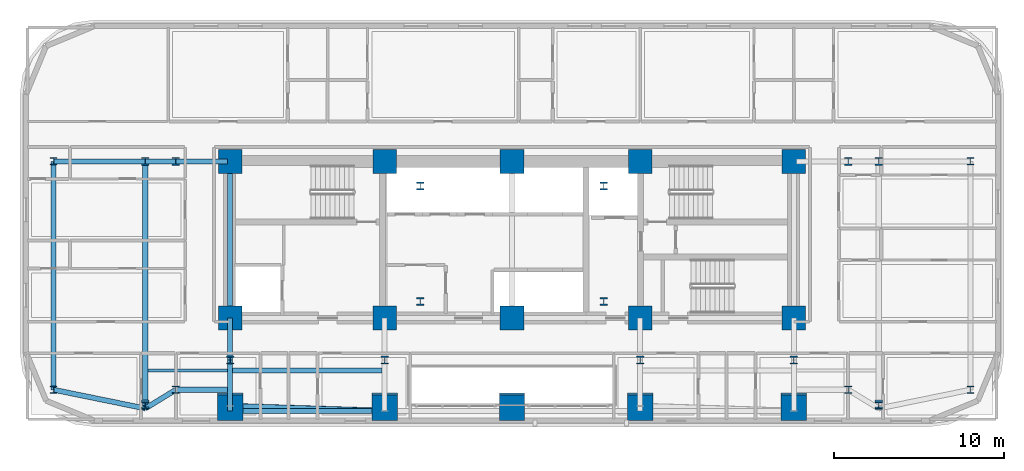
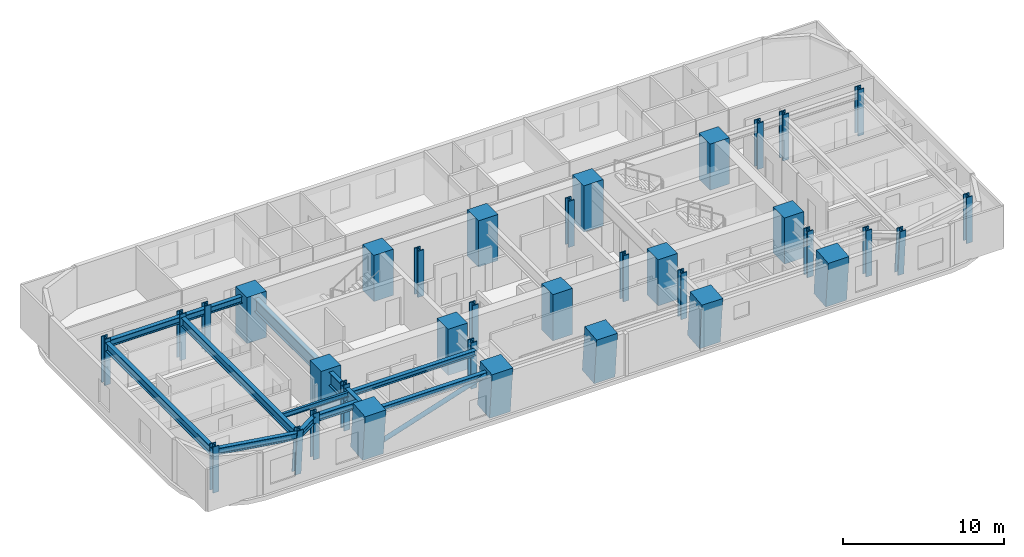
# One storey, part 1 of 16: 35 columns, 14 beams, 1 member.
"""IFC4 building model written with IfcOpenShell, lengths in metres."""

from ifc_helpers import new_model, si_unit, direction, frame, origin, origin_2d, place, context, subcontext, project, spatial, rectangle, hollow_circle, i_section, extrude, material, material_profile, profile_set, type_object, element, save


model = new_model("IFC4")

# Units and contexts
model_context = context("Model", 3, precision=1e-05, world=origin(), true_north=direction((0.0, 1.0)))
body_context = subcontext(model_context, "Body", "Model", "MODEL_VIEW")
ifc_project = project(units=[si_unit("LENGTHUNIT", "METRE"), si_unit("AREAUNIT", "SQUARE_METRE"), si_unit("VOLUMEUNIT", "CUBIC_METRE"), si_unit("PLANEANGLEUNIT", "RADIAN"), si_unit("MASSUNIT", "GRAM", prefix="KILO")], contexts=[model_context])

# Site, building, storey
site_placement = place(None, origin())
site = spatial("IfcSite", under=ifc_project, at=site_placement, CompositionType="ELEMENT")
building_placement = place(site_placement, origin())
building = spatial("IfcBuilding", under=site, at=building_placement, Name="Zarnavel Station Tower", CompositionType="ELEMENT")
storey_placement = place(building_placement, frame((0.0, 0.0, 39.5)))
storey = spatial("IfcBuildingStorey", under=building, at=storey_placement, Name="L10", CompositionType="ELEMENT", Elevation=39.5)

# Columns
ifc_material_1 = material(Name="Steel S460M", Category="steel")
ifc_material_profile_1 = material_profile(ifc_material_1, i_section(OverallWidth=0.424072265625, OverallDepth=0.449951171875, WebThickness=0.041015625, FlangeThickness=0.06494140625, FilletRadius=0.014892578125, at=origin_2d()), Name="HD400x509")
ifc_profile_set_1 = profile_set([ifc_material_profile_1], Name="Steel S460M")
column_type_1 = type_object("IfcColumnType", Name="EC_HD509", PredefinedType="COLUMN", material=ifc_profile_set_1)
for number, where, z_axis, x_axis, name in (
    (1, (1.800048828125, 23.60009765625, 0.0), (0.0, 0.0, 1.0), (1.0, 0.0, 0.0), "L10 Outer Wing South Column 1"),
    (2, (1.800048828125, 37.050048828125, 0.0), (0.0, 0.0, 1.0), (1.0, 0.0, 0.0), "L10 Outer Wing North Column 1"),
):
    element("IfcColumn", number, at=place(storey_placement, frame(where, z_axis=z_axis, x_axis=x_axis)), inside=storey, type_object=column_type_1, Name=name, PredefinedType="COLUMN", context=body_context, shape_type="SweptSolid", body=[
        extrude(i_section(OverallWidth=0.424072265625, OverallDepth=0.449951171875, WebThickness=0.041015625, FlangeThickness=0.06494140625, FilletRadius=0.014892578125, at=origin_2d()), origin(), (0.0, 0.0, 1.0), 3.5),
    ])
for number, where, z_axis, x_axis, name in (
    (3, (7.199951171875, 22.75830078125, 0.0), (0.0, -0.079891690793, 0.996803550226), (1.0, 0.0, 0.0), "L10 Raked Wing Column 2"),
    (4, (50.39990234375, 22.75830078125, 0.0), (0.0, -0.079891690793, 0.996803550226), (1.0, 0.0, 0.0), "L10 Raked Wing Column 3"),
):
    element("IfcColumn", number, at=place(storey_placement, frame(where, z_axis=z_axis, x_axis=x_axis)), inside=storey, type_object=column_type_1, Name=name, PredefinedType="COLUMN", context=body_context, shape_type="SweptSolid", body=[
        extrude(i_section(OverallWidth=0.424072265625, OverallDepth=0.449951171875, WebThickness=0.041015625, FlangeThickness=0.06494140625, FilletRadius=0.014892578125, at=origin_2d()), origin(), (0.0, 0.0, 1.0), 3.51123046875),
    ])
for number, where, z_axis, x_axis, name in (
    (5, (55.800048828125, 23.60009765625, 0.0), (0.0, 0.0, 1.0), (1.0, 0.0, 0.0), "L10 Outer Wing South Column 4"),
    (6, (55.800048828125, 37.050048828125, 0.0), (0.0, 0.0, 1.0), (1.0, 0.0, 0.0), "L10 Outer Wing North Column 4"),
):
    element("IfcColumn", number, at=place(storey_placement, frame(where, z_axis=z_axis, x_axis=x_axis)), inside=storey, type_object=column_type_1, Name=name, PredefinedType="COLUMN", context=body_context, shape_type="SweptSolid", body=[
        extrude(i_section(OverallWidth=0.424072265625, OverallDepth=0.449951171875, WebThickness=0.041015625, FlangeThickness=0.06494140625, FilletRadius=0.014892578125, at=origin_2d()), origin(), (0.0, 0.0, 1.0), 3.5),
    ])
ifc_material_2 = material(Name="Steel S460M", Category="steel")
ifc_material_profile_2 = material_profile(ifc_material_2, i_section(OverallWidth=0.427978515625, OverallDepth=0.465087890625, WebThickness=0.044921875, FlangeThickness=0.072998046875, FilletRadius=0.014892578125, at=origin_2d()), Name="HD400x592")
ifc_profile_set_2 = profile_set([ifc_material_profile_2], Name="Steel S460M")
column_type_2 = type_object("IfcColumnType", Name="IC_HD592", PredefinedType="COLUMN", material=ifc_profile_set_2)
for number, where, z_axis, x_axis, name in (
    (7, (23.39990234375, 28.800048828125, 0.0), (0.0, 0.0, 1.0), (1.0, 0.0, 0.0), "L10 Mast Spine Column 1"),
    (8, (34.199951171875, 28.800048828125, 0.0), (0.0, 0.0, 1.0), (1.0, 0.0, 0.0), "L10 Mast Spine Column 2"),
    (9, (34.199951171875, 35.60009765625, 0.0), (0.0, 0.0, 1.0), (1.0, 0.0, 0.0), "L10 Mast Spine Column 3"),
    (10, (23.39990234375, 35.60009765625, 0.0), (0.0, 0.0, 1.0), (1.0, 0.0, 0.0), "L10 Mast Spine Column 4"),
    (11, (12.199951171875, 25.35009765625, 0.0), (0.0, 0.0, 1.0), (1.0, 0.0, 0.0), "L10 Inner Spine Column 1"),
    (12, (21.300048828125, 25.35009765625, 0.0), (0.0, 0.0, 1.0), (1.0, 0.0, 0.0), "L10 Inner Spine Column 2"),
    (13, (36.35009765625, 25.35009765625, 0.0), (0.0, 0.0, 1.0), (1.0, 0.0, 0.0), "L10 Inner Spine Column 4"),
    (14, (45.39990234375, 25.35009765625, 0.0), (0.0, 0.0, 1.0), (1.0, 0.0, 0.0), "L10 Inner Spine Column 5"),
    (15, (9.0, 23.60009765625, 0.0), (0.0, 0.0, 1.0), (1.0, 0.0, 0.0), "L10 Inner Wing Spine Column 1-1"),
    (16, (9.0, 37.050048828125, 0.0), (0.0, 0.0, 1.0), (1.0, 0.0, 0.0), "L10 Inner Wing Spine Column 1-2"),
    (17, (48.60009765625, 23.60009765625, 0.0), (0.0, 0.0, 1.0), (1.0, 0.0, 0.0), "L10 Inner Wing Spine Column 2-1"),
    (18, (48.60009765625, 37.050048828125, 0.0), (0.0, 0.0, 1.0), (1.0, 0.0, 0.0), "L10 Inner Wing Spine Column 2-2"),
    (19, (7.199951171875, 37.050048828125, 0.0), (0.0, 0.0, 1.0), (1.0, 0.0, 0.0), "L10 Outer Wing North Column 2"),
    (20, (50.39990234375, 37.050048828125, 0.0), (0.0, 0.0, 1.0), (1.0, 0.0, 0.0), "L10 Outer Wing North Column 3"),
):
    element("IfcColumn", number, at=place(storey_placement, frame(where, z_axis=z_axis, x_axis=x_axis)), inside=storey, type_object=column_type_2, Name=name, PredefinedType="COLUMN", context=body_context, shape_type="SweptSolid", body=[
        extrude(i_section(OverallWidth=0.427978515625, OverallDepth=0.465087890625, WebThickness=0.044921875, FlangeThickness=0.072998046875, FilletRadius=0.014892578125, at=origin_2d()), origin(), (0.0, 0.0, 1.0), 3.5),
    ])
ifc_material_3 = material(Name="Concrete C60/75", Category="concrete")
ifc_material_profile_3 = material_profile(ifc_material_3, rectangle(XDim=1.39990234375, YDim=1.39990234375, at=origin_2d()), Name="RC1400x1400")
ifc_profile_set_3 = profile_set([ifc_material_profile_3], Name="Concrete C60/75")
column_type_3 = type_object("IfcColumnType", Name="IC_RC1400", PredefinedType="COLUMN", material=ifc_profile_set_3)
for number, where, z_axis, x_axis, name in (
    (21, (12.199951171875, 27.820068359375, 0.0), (0.0, 0.0, 1.0), (1.0, 0.0, 0.0), "L10 Core Spine Column 1-1"),
    (22, (12.199951171875, 37.050048828125, 0.0), (0.0, 0.0, 1.0), (1.0, 0.0, 0.0), "L10 Core Spine Column 1-2"),
    (23, (21.300048828125, 27.820068359375, 0.0), (0.0, 0.0, 1.0), (1.0, 0.0, 0.0), "L10 Core Spine Column 2-1"),
    (24, (21.300048828125, 37.050048828125, 0.0), (0.0, 0.0, 1.0), (1.0, 0.0, 0.0), "L10 Core Spine Column 2-2"),
    (25, (28.800048828125, 27.820068359375, 0.0), (0.0, 0.0, 1.0), (1.0, 0.0, 0.0), "L10 Core Spine Column 3-1"),
    (26, (28.800048828125, 37.050048828125, 0.0), (0.0, 0.0, 1.0), (1.0, 0.0, 0.0), "L10 Core Spine Column 3-2"),
    (27, (36.35009765625, 27.820068359375, 0.0), (0.0, 0.0, 1.0), (1.0, 0.0, 0.0), "L10 Core Spine Column 4-1"),
    (28, (36.35009765625, 37.050048828125, 0.0), (0.0, 0.0, 1.0), (1.0, 0.0, 0.0), "L10 Core Spine Column 4-2"),
    (29, (45.39990234375, 27.820068359375, 0.0), (0.0, 0.0, 1.0), (1.0, 0.0, 0.0), "L10 Core Spine Column 5-1"),
    (30, (45.39990234375, 37.050048828125, 0.0), (0.0, 0.0, 1.0), (1.0, 0.0, 0.0), "L10 Core Spine Column 5-2"),
):
    element("IfcColumn", number, at=place(storey_placement, frame(where, z_axis=z_axis, x_axis=x_axis)), inside=storey, type_object=column_type_3, Name=name, PredefinedType="COLUMN", context=body_context, shape_type="SweptSolid", body=[
        extrude(rectangle(XDim=1.39990234375, YDim=1.39990234375, at=origin_2d()), origin(), (0.0, 0.0, 1.0), 3.5),
    ])
ifc_material_4 = material(Name="Concrete C60/75", Category="concrete")
ifc_material_profile_4 = material_profile(ifc_material_4, rectangle(XDim=1.5, YDim=1.5, at=origin_2d()), Name="RC1500x1500")
ifc_profile_set_4 = profile_set([ifc_material_profile_4], Name="Concrete C60/75")
column_type_4 = type_object("IfcColumnType", Name="MC_RC1500", PredefinedType="COLUMN", material=ifc_profile_set_4)
for number, where, z_axis, x_axis, name in (
    (31, (12.199951171875, 22.6484375, 0.0), (0.0, -0.090241349316, 0.995919925935), (1.0, 0.0, 0.0), "L10 Raked South Mega-Column 1"),
    (32, (21.300048828125, 22.6484375, 0.0), (0.0, -0.090241349316, 0.995919925935), (1.0, 0.0, 0.0), "L10 Raked South Mega-Column 2"),
    (33, (28.800048828125, 22.6484375, 0.0), (0.0, -0.090241349316, 0.995919925935), (1.0, 0.0, 0.0), "L10 Raked South Mega-Column 3"),
    (34, (36.35009765625, 22.6484375, 0.0), (0.0, -0.090241349316, 0.995919925935), (1.0, 0.0, 0.0), "L10 Raked South Mega-Column 4"),
    (35, (45.39990234375, 22.6484375, 0.0), (0.0, -0.090241349316, 0.995919925935), (1.0, 0.0, 0.0), "L10 Raked South Mega-Column 5"),
):
    element("IfcColumn", number, at=place(storey_placement, frame(where, z_axis=z_axis, x_axis=x_axis)), inside=storey, type_object=column_type_4, Name=name, PredefinedType="COLUMN", context=body_context, shape_type="SweptSolid", body=[
        extrude(rectangle(XDim=1.5, YDim=1.5, at=origin_2d()), origin(), (0.0, 0.0, 1.0), 3.514404296875),
    ])

# Member
ifc_material_5 = material(Name="Steel S355J2", Category="steel")
ifc_material_profile_5 = material_profile(ifc_material_5, hollow_circle(Radius=0.161865234375, WallThickness=0.012451171875, at=origin_2d()), Name="CHS323.9x12.5")
ifc_profile_set_5 = profile_set([ifc_material_profile_5], Name="Steel S355J2")
member_type = type_object("IfcMemberType", Name="DB_EXT_CHS324", PredefinedType="BRACE", material=ifc_profile_set_5)
member_placement = place(storey_placement, frame((12.199951171875, 22.6484375, 0.0), z_axis=(0.941636397979, -0.030365588624, 0.335259339958), x_axis=(0.032230925026, 0.999480448769, 0.0)))
element("IfcMember", 36, at=member_placement, inside=storey, type_object=member_type, Name="L10 Persian Exterior Diagonal Frame Brace 1", PredefinedType="BRACE", context=body_context, shape_type="SweptSolid", body=[
    extrude(hollow_circle(Radius=0.161865234375, WallThickness=0.012451171875, at=origin_2d()), origin(), (0.0, 0.0, 1.0), 9.6640625),
])

# Beams
ifc_material_6 = material(Name="Steel S355J2", Category="steel")
ifc_material_profile_6 = material_profile(ifc_material_6, i_section(OverallWidth=0.300048828125, OverallDepth=0.39990234375, WebThickness=0.013427734375, FlangeThickness=0.02392578125, FilletRadius=0.027099609375, at=origin_2d()), Name="HEB400")
ifc_profile_set_6 = profile_set([ifc_material_profile_6], Name="Steel S355J2")
beam_type_1 = type_object("IfcBeamType", Name="EB_HEB400", PredefinedType="SPANDREL", material=ifc_profile_set_6)
beam_1_placement = place(storey_placement, frame((12.199951171875, 22.35498046875, 3.0400390625), z_axis=(1.0, 0.0, 0.0), x_axis=(0.0, 1.0, 0.0)))
element("IfcBeam", 37, at=beam_1_placement, inside=storey, type_object=beam_type_1, Name="L10 South Raked Spandrel 1", PredefinedType="SPANDREL", context=body_context, shape_type="SweptSolid", body=[
    extrude(i_section(OverallWidth=0.300048828125, OverallDepth=0.39990234375, WebThickness=0.013427734375, FlangeThickness=0.02392578125, FilletRadius=0.027099609375, at=origin_2d()), origin(), (0.0, 0.0, 1.0), 9.10009765625),
])
ifc_material_7 = material(Name="Steel S355J2", Category="steel")
ifc_material_profile_7 = material_profile(ifc_material_7, i_section(OverallWidth=0.300048828125, OverallDepth=0.389892578125, WebThickness=0.010986328125, FlangeThickness=0.01904296875, FilletRadius=0.027099609375, at=origin_2d()), Name="HEA400")
ifc_profile_set_7 = profile_set([ifc_material_profile_7], Name="Steel S355J2")
beam_type_2 = type_object("IfcBeamType", Name="FB_HEA400", PredefinedType="BEAM", material=ifc_profile_set_7)
beam_2_placement = place(storey_placement, frame((12.344970703125, 24.735107421875, 3.044921875), z_axis=(1.0, 0.0, 0.0), x_axis=(0.0, 1.0, 0.0)))
element("IfcBeam", 38, at=beam_2_placement, inside=storey, type_object=beam_type_2, Name="L10 West Bay Beam 2", PredefinedType="BEAM", context=body_context, shape_type="SweptSolid", body=[
    extrude(i_section(OverallWidth=0.300048828125, OverallDepth=0.389892578125, WebThickness=0.010986328125, FlangeThickness=0.01904296875, FilletRadius=0.027099609375, at=origin_2d()), origin(), (0.0, 0.0, 1.0), 8.81005859375),
])
ifc_material_8 = material(Name="Steel S355J2", Category="steel")
ifc_material_profile_8 = material_profile(ifc_material_8, i_section(OverallWidth=0.300048828125, OverallDepth=0.5, WebThickness=0.014404296875, FlangeThickness=0.028076171875, FilletRadius=0.027099609375, at=origin_2d()), Name="HEB500")
ifc_profile_set_8 = profile_set([ifc_material_profile_8], Name="Steel S355J2")
beam_type_3 = type_object("IfcBeamType", Name="FG_HEB500", PredefinedType="USERDEFINED", material=ifc_profile_set_8)
beam_3_placement = place(storey_placement, frame((1.800048828125, 23.60009765625, 2.989990234375), z_axis=(0.979829026389, -0.199837631705, 0.0), x_axis=(0.199837631705, 0.979829026389, 0.0)))
element("IfcBeam", 39, at=beam_3_placement, inside=storey, type_object=beam_type_3, Name="L10 West Wing South Tie 1", ObjectType="GIRDER", PredefinedType="USERDEFINED", context=body_context, shape_type="SweptSolid", body=[
    extrude(i_section(OverallWidth=0.300048828125, OverallDepth=0.5, WebThickness=0.014404296875, FlangeThickness=0.028076171875, FilletRadius=0.027099609375, at=origin_2d()), origin(), (0.0, 0.0, 1.0), 5.510986328125),
])
beam_4_placement = place(storey_placement, frame((1.800048828125, 37.050048828125, 2.989990234375), z_axis=(1.0, 0.0, 0.0), x_axis=(0.0, 1.0, 0.0)))
element("IfcBeam", 40, at=beam_4_placement, inside=storey, type_object=beam_type_3, Name="L10 West Wing North Tie 1", ObjectType="GIRDER", PredefinedType="USERDEFINED", context=body_context, shape_type="SweptSolid", body=[
    extrude(i_section(OverallWidth=0.300048828125, OverallDepth=0.5, WebThickness=0.014404296875, FlangeThickness=0.028076171875, FilletRadius=0.027099609375, at=origin_2d()), origin(), (0.0, 0.0, 1.0), 5.39990234375),
])
beam_5_placement = place(storey_placement, frame((7.199951171875, 22.498779296875, 2.989990234375), z_axis=(0.853010032508, 0.521894514668, 0.0), x_axis=(-0.521894514668, 0.853010032508, 0.0)))
element("IfcBeam", 41, at=beam_5_placement, inside=storey, type_object=beam_type_3, Name="L10 West Wing South Tie 2", ObjectType="GIRDER", PredefinedType="USERDEFINED", context=body_context, shape_type="SweptSolid", body=[
    extrude(i_section(OverallWidth=0.300048828125, OverallDepth=0.5, WebThickness=0.014404296875, FlangeThickness=0.028076171875, FilletRadius=0.027099609375, at=origin_2d()), origin(), (0.0, 0.0, 1.0), 2.1103515625),
])
beam_6_placement = place(storey_placement, frame((7.199951171875, 37.050048828125, 2.989990234375), z_axis=(1.0, 0.0, 0.0), x_axis=(0.0, 1.0, 0.0)))
element("IfcBeam", 42, at=beam_6_placement, inside=storey, type_object=beam_type_3, Name="L10 West Wing North Tie 2", ObjectType="GIRDER", PredefinedType="USERDEFINED", context=body_context, shape_type="SweptSolid", body=[
    extrude(i_section(OverallWidth=0.300048828125, OverallDepth=0.5, WebThickness=0.014404296875, FlangeThickness=0.028076171875, FilletRadius=0.027099609375, at=origin_2d()), origin(), (0.0, 0.0, 1.0), 1.800048828125),
])
for number, where, z_axis, x_axis, name in (
    (43, (9.0, 23.60009765625, 2.989990234375), (1.0, 0.0, 0.0), (0.0, 1.0, 0.0), "L10 West Wing South Tie 3"),
    (44, (9.0, 37.050048828125, 2.989990234375), (1.0, 0.0, 0.0), (0.0, 1.0, 0.0), "L10 West Wing North Tie 3"),
):
    element("IfcBeam", number, at=place(storey_placement, frame(where, z_axis=z_axis, x_axis=x_axis)), inside=storey, type_object=beam_type_3, Name=name, ObjectType="GIRDER", PredefinedType="USERDEFINED", context=body_context, shape_type="SweptSolid", body=[
        extrude(i_section(OverallWidth=0.300048828125, OverallDepth=0.5, WebThickness=0.014404296875, FlangeThickness=0.028076171875, FilletRadius=0.027099609375, at=origin_2d()), origin(), (0.0, 0.0, 1.0), 3.054931640625),
    ])
ifc_material_9 = material(Name="Steel S355J2", Category="steel")
ifc_material_profile_9 = material_profile(ifc_material_9, i_section(OverallWidth=0.300048828125, OverallDepth=0.64990234375, WebThickness=0.01611328125, FlangeThickness=0.031005859375, FilletRadius=0.027099609375, at=origin_2d()), Name="HEB650")
ifc_profile_set_9 = profile_set([ifc_material_profile_9], Name="Steel S355J2")
beam_type_4 = type_object("IfcBeamType", Name="FG_HEB650", PredefinedType="USERDEFINED", material=ifc_profile_set_9)
beam_7_placement = place(storey_placement, frame((1.800048828125, 23.60009765625, 2.9150390625), z_axis=(0.0, 1.0, 0.0), x_axis=(-1.0, 0.0, 0.0)))
element("IfcBeam", 45, at=beam_7_placement, inside=storey, type_object=beam_type_4, Name="L10 Wing NS Girder 1", ObjectType="GIRDER", PredefinedType="USERDEFINED", context=body_context, shape_type="SweptSolid", body=[
    extrude(i_section(OverallWidth=0.300048828125, OverallDepth=0.64990234375, WebThickness=0.01611328125, FlangeThickness=0.031005859375, FilletRadius=0.027099609375, at=origin_2d()), origin(), (0.0, 0.0, 1.0), 13.449951171875),
])
beam_8_placement = place(storey_placement, frame((7.199951171875, 22.498779296875, 2.9150390625), z_axis=(0.0, 1.0, 0.0), x_axis=(-1.0, 0.0, 0.0)))
element("IfcBeam", 46, at=beam_8_placement, inside=storey, type_object=beam_type_4, Name="L10 Wing NS Girder 2", ObjectType="GIRDER", PredefinedType="USERDEFINED", context=body_context, shape_type="SweptSolid", body=[
    extrude(i_section(OverallWidth=0.300048828125, OverallDepth=0.64990234375, WebThickness=0.01611328125, FlangeThickness=0.031005859375, FilletRadius=0.027099609375, at=origin_2d()), origin(), (0.0, 0.0, 1.0), 14.55126953125),
])
ifc_material_10 = material(Name="Steel S355J2", Category="steel")
ifc_material_profile_10 = material_profile(ifc_material_10, i_section(OverallWidth=0.169921875, OverallDepth=0.360107421875, WebThickness=0.008056640625, FlangeThickness=0.0126953125, FilletRadius=0.01806640625, at=origin_2d()), Name="IPE360")
ifc_profile_set_10 = profile_set([ifc_material_profile_10], Name="Steel S355J2")
beam_type_5 = type_object("IfcBeamType", Name="FJ_IPE360", PredefinedType="JOIST", material=ifc_profile_set_10)
beam_9_placement = place(storey_placement, frame((7.344970703125, 24.735107421875, 3.06005859375), z_axis=(1.0, 0.0, 0.0), x_axis=(0.0, 1.0, 0.0)))
element("IfcBeam", 47, at=beam_9_placement, inside=storey, type_object=beam_type_5, Name="L10 West Wing Joist 2", PredefinedType="JOIST", context=body_context, shape_type="SweptSolid", body=[
    extrude(i_section(OverallWidth=0.169921875, OverallDepth=0.360107421875, WebThickness=0.008056640625, FlangeThickness=0.0126953125, FilletRadius=0.01806640625, at=origin_2d()), origin(), (0.0, 0.0, 1.0), 4.7099609375),
])
ifc_material_11 = material(Name="Steel S460M", Category="steel")
ifc_material_profile_11 = material_profile(ifc_material_11, i_section(OverallWidth=0.302001953125, OverallDepth=1.008056640625, WebThickness=0.02099609375, FlangeThickness=0.0400390625, FilletRadius=0.030029296875, at=origin_2d()), Name="HEM1000")
ifc_profile_set_11 = profile_set([ifc_material_profile_11], Name="Steel S460M")
beam_type_6 = type_object("IfcBeamType", Name="TG_HEM1000", PredefinedType="USERDEFINED", material=ifc_profile_set_11)
beam_10_placement = place(storey_placement, frame((12.199951171875, 27.820068359375, 2.736083984375), z_axis=(0.0, 1.0, 0.0), x_axis=(-1.0, 0.0, 0.0)))
element("IfcBeam", 48, at=beam_10_placement, inside=storey, type_object=beam_type_6, Name="L10 Core Spine Coupling Girder 1", ObjectType="GIRDER", PredefinedType="USERDEFINED", context=body_context, shape_type="SweptSolid", body=[
    extrude(i_section(OverallWidth=0.302001953125, OverallDepth=1.008056640625, WebThickness=0.02099609375, FlangeThickness=0.0400390625, FilletRadius=0.030029296875, at=origin_2d()), origin(), (0.0, 0.0, 1.0), 9.22998046875),
])
beam_11_placement = place(storey_placement, frame((12.199951171875, 22.35498046875, 2.736083984375), z_axis=(0.0, 1.0, 0.0), x_axis=(-1.0, 0.0, 0.0)))
element("IfcBeam", 49, at=beam_11_placement, inside=storey, type_object=beam_type_6, Name="L10 South-Zone NS Girder 1", ObjectType="GIRDER", PredefinedType="USERDEFINED", context=body_context, shape_type="SweptSolid", body=[
    extrude(i_section(OverallWidth=0.302001953125, OverallDepth=1.008056640625, WebThickness=0.02099609375, FlangeThickness=0.0400390625, FilletRadius=0.030029296875, at=origin_2d()), origin(), (0.0, 0.0, 1.0), 2.9951171875),
])
beam_12_placement = place(storey_placement, frame((12.199951171875, 25.35009765625, 2.736083984375), z_axis=(0.0, 1.0, 0.0), x_axis=(-1.0, 0.0, 0.0)))
element("IfcBeam", 50, at=beam_12_placement, inside=storey, type_object=beam_type_6, Name="L10 Inner-Zone NS Girder 1", ObjectType="GIRDER", PredefinedType="USERDEFINED", context=body_context, shape_type="SweptSolid", body=[
    extrude(i_section(OverallWidth=0.302001953125, OverallDepth=1.008056640625, WebThickness=0.02099609375, FlangeThickness=0.0400390625, FilletRadius=0.030029296875, at=origin_2d()), origin(), (0.0, 0.0, 1.0), 2.469970703125),
])

save(model, "model.ifc")
